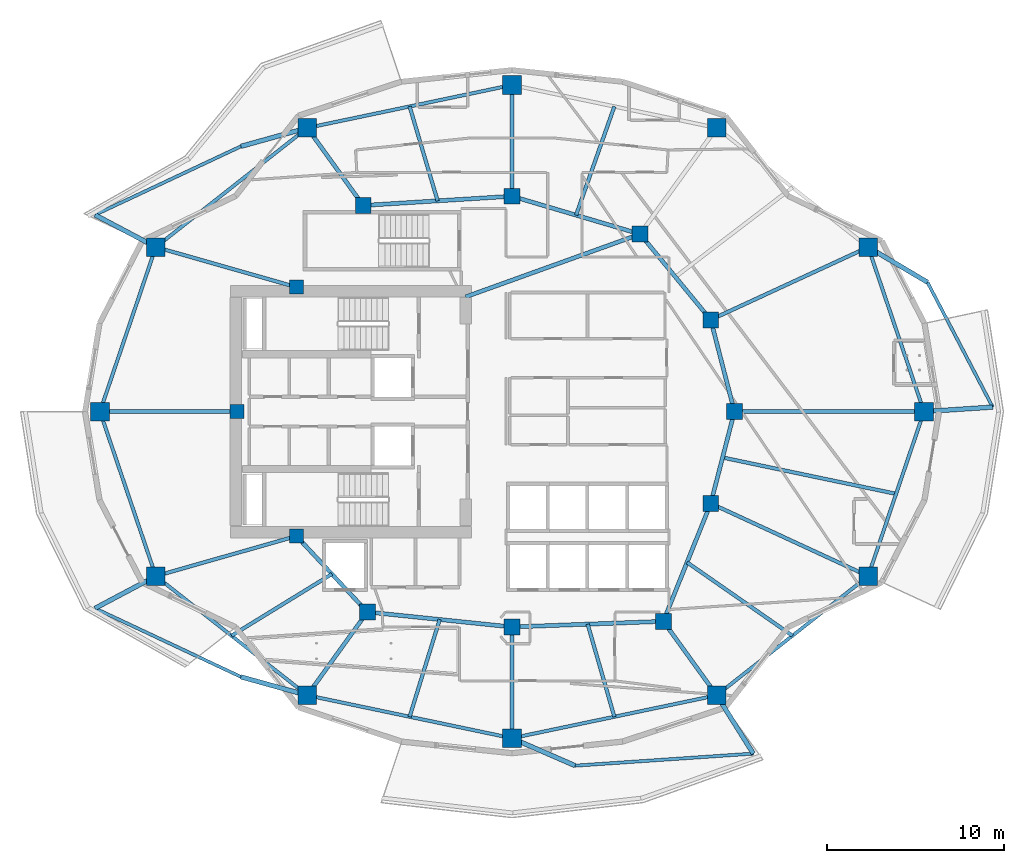
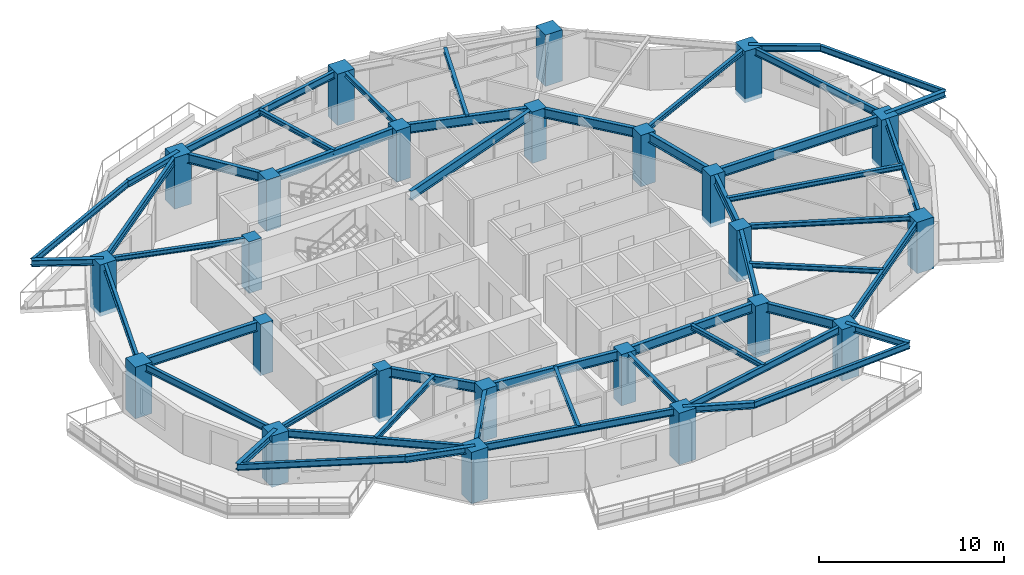
# One storey, part 1 of 17: 50 beams, 24 columns.
"""IFC4 building model written with IfcOpenShell, lengths in metres."""

from ifc_helpers import new_model, si_unit, direction, frame, origin, origin_2d, place, context, subcontext, project, spatial, rectangle, i_section, extrude, material, material_profile, profile_set, type_object, element, save


model = new_model("IFC4")

# Units and contexts
model_context = context("Model", 3, precision=1e-05, world=origin(), true_north=direction((0.0, 1.0)))
body_context = subcontext(model_context, "Body", "Model", "MODEL_VIEW")
ifc_project = project(units=[si_unit("LENGTHUNIT", "METRE"), si_unit("AREAUNIT", "SQUARE_METRE"), si_unit("VOLUMEUNIT", "CUBIC_METRE"), si_unit("PLANEANGLEUNIT", "RADIAN"), si_unit("MASSUNIT", "GRAM", prefix="KILO")], contexts=[model_context])

# Site, building, storey
site_placement = place(None, origin())
site = spatial("IfcSite", under=ifc_project, at=site_placement, CompositionType="ELEMENT")
building_placement = place(site_placement, origin())
building = spatial("IfcBuilding", under=site, at=building_placement, Name="Kolvaren Gate Tower and Convention Centre", CompositionType="ELEMENT")
storey_placement = place(building_placement, frame((0.0, 0.0, 125.699951171875)))
storey = spatial("IfcBuildingStorey", under=building, at=storey_placement, Name="L31", CompositionType="ELEMENT", Elevation=125.699951171875)

# Columns
ifc_material_1 = material(Name="Concrete C60/75", Category="concrete")
ifc_material_profile_1 = material_profile(ifc_material_1, rectangle(XDim=1.050048828125, YDim=1.050048828125, at=origin_2d()), Name="RC-COL-1050X1050")
ifc_profile_set_1 = profile_set([ifc_material_profile_1], Name="Concrete C60/75")
column_type_1 = type_object("IfcColumnType", Name="STR-COL-RC1050", PredefinedType="COLUMN", material=ifc_profile_set_1)
for number, where, z_axis, x_axis, name in (
    (1, (53.46240234375, 27.0, -0.27001953125), (0.0, 0.0, 1.0), (1.0, 0.0, 0.0), "Tower L31 Perimeter Supercolumn TP-01"),
    (2, (50.30029296875, 36.318603515625, -0.27001953125), (0.0, 0.0, 1.0), (1.0, 0.0, 0.0), "Tower L31 Perimeter Supercolumn TP-02"),
    (3, (41.721435546875, 43.068359375, -0.27001953125), (0.0, 0.0, 1.0), (1.0, 0.0, 0.0), "Tower L31 Perimeter Supercolumn TP-03"),
    (4, (30.125, 45.5, -0.27001953125), (0.0, 0.0, 1.0), (1.0, 0.0, 0.0), "Tower L31 Perimeter Supercolumn TP-04"),
    (5, (18.52880859375, 43.068359375, -0.27001953125), (0.0, 0.0, 1.0), (1.0, 0.0, 0.0), "Tower L31 Perimeter Supercolumn TP-05"),
    (6, (9.94970703125, 36.318603515625, -0.27001953125), (0.0, 0.0, 1.0), (1.0, 0.0, 0.0), "Tower L31 Perimeter Supercolumn TP-06"),
    (7, (6.78759765625, 27.0, -0.27001953125), (0.0, 0.0, 1.0), (1.0, 0.0, 0.0), "Tower L31 Perimeter Supercolumn TP-07"),
    (8, (9.94970703125, 17.681396484375, -0.27001953125), (0.0, 0.0, 1.0), (1.0, 0.0, 0.0), "Tower L31 Perimeter Supercolumn TP-08"),
    (9, (18.528564453125, 10.931640625, -0.27001953125), (0.0, 0.0, 1.0), (1.0, 0.0, 0.0), "Tower L31 Perimeter Supercolumn TP-09"),
    (10, (30.125, 8.5, -0.27001953125), (0.0, 0.0, 1.0), (1.0, 0.0, 0.0), "Tower L31 Perimeter Supercolumn TP-10"),
    (11, (41.721435546875, 10.931640625, -0.27001953125), (0.0, 0.0, 1.0), (1.0, 0.0, 0.0), "Tower L31 Perimeter Supercolumn TP-11"),
    (12, (50.30029296875, 17.681396484375, -0.27001953125), (0.0, 0.0, 1.0), (1.0, 0.0, 0.0), "Tower L31 Perimeter Supercolumn TP-12"),
):
    element("IfcColumn", number, at=place(storey_placement, frame(where, z_axis=z_axis, x_axis=x_axis)), inside=storey, type_object=column_type_1, Name=name, PredefinedType="COLUMN", context=body_context, shape_type="SweptSolid", body=[
        extrude(rectangle(XDim=1.050048828125, YDim=1.050048828125, at=origin_2d()), origin(), (0.0, 0.0, 1.0), 3.400146484375),
    ])
ifc_material_profile_2 = material_profile(ifc_material_1, rectangle(XDim=0.89990234375, YDim=0.89990234375, at=origin_2d()), Name="RC-COL-900X900")
ifc_profile_set_2 = profile_set([ifc_material_profile_2], Name="Concrete C60/75")
column_type_2 = type_object("IfcColumnType", Name="STR-COL-RC900", PredefinedType="COLUMN", material=ifc_profile_set_2)
for number, where, z_axis, x_axis, name in (
    (13, (42.72509765625, 27.0, -0.27001953125), (0.0, 0.0, 1.0), (1.0, 0.0, 0.0), "Tower L31 Interior Column TI-01"),
    (14, (41.382080078125, 32.199462890625, -0.27001953125), (0.0, 0.0, 1.0), (1.0, 0.0, 0.0), "Tower L31 Interior Column TI-02"),
    (15, (37.381591796875, 37.054931640625, -0.27001953125), (0.0, 0.0, 1.0), (1.0, 0.0, 0.0), "Tower L31 Interior Column TI-03"),
    (16, (30.125, 39.199951171875, -0.27001953125), (0.0, 0.0, 1.0), (1.0, 0.0, 0.0), "Tower L31 Interior Column TI-04"),
    (17, (21.697998046875, 38.6767578125, -0.27001953125), (0.0, 0.0, 1.0), (1.0, 0.0, 0.0), "Tower L31 Interior Column TI-05"),
    (18, (21.93212890625, 15.647705078125, -0.27001953125), (0.0, 0.0, 1.0), (1.0, 0.0, 0.0), "Tower L31 Interior Column TI-06"),
    (19, (30.125, 14.800048828125, -0.27001953125), (0.0, 0.0, 1.0), (1.0, 0.0, 0.0), "Tower L31 Interior Column TI-07"),
    (20, (38.6982421875, 15.12060546875, -0.27001953125), (0.0, 0.0, 1.0), (1.0, 0.0, 0.0), "Tower L31 Interior Column TI-08"),
    (21, (41.382080078125, 21.800537109375, -0.27001953125), (0.0, 0.0, 1.0), (1.0, 0.0, 0.0), "Tower L31 Interior Column TI-09"),
):
    element("IfcColumn", number, at=place(storey_placement, frame(where, z_axis=z_axis, x_axis=x_axis)), inside=storey, type_object=column_type_2, Name=name, PredefinedType="COLUMN", context=body_context, shape_type="SweptSolid", body=[
        extrude(rectangle(XDim=0.89990234375, YDim=0.89990234375, at=origin_2d()), origin(), (0.0, 0.0, 1.0), 3.400146484375),
    ])
ifc_material_profile_3 = material_profile(ifc_material_1, rectangle(XDim=0.800048828125, YDim=0.800048828125, at=origin_2d()), Name="RC-COL-800X800")
ifc_profile_set_3 = profile_set([ifc_material_profile_3], Name="Concrete C60/75")
column_type_3 = type_object("IfcColumnType", Name="STR-PIL-RC800", PredefinedType="PILASTER", material=ifc_profile_set_3)
for number, where, z_axis, x_axis, name in (
    (22, (17.9140625, 34.050048828125, -0.27001953125), (0.0, 0.0, 1.0), (1.0, 0.0, 0.0), "Tower L31 Core Boundary Pilaster TC-05"),
    (23, (14.550048828125, 27.0, -0.27001953125), (0.0, 0.0, 1.0), (1.0, 0.0, 0.0), "Tower L31 Core Boundary Pilaster TC-06"),
    (24, (17.9140625, 19.949951171875, -0.27001953125), (0.0, 0.0, 1.0), (1.0, 0.0, 0.0), "Tower L31 Core Boundary Pilaster TC-07"),
):
    element("IfcColumn", number, at=place(storey_placement, frame(where, z_axis=z_axis, x_axis=x_axis)), inside=storey, type_object=column_type_3, Name=name, PredefinedType="PILASTER", context=body_context, shape_type="SweptSolid", body=[
        extrude(rectangle(XDim=0.800048828125, YDim=0.800048828125, at=origin_2d()), origin(), (0.0, 0.0, 1.0), 3.400146484375),
    ])

# Beams
ifc_material_2 = material(Name="Structural steel ASTM A992 Grade 345 MPa", Category="steel")
ifc_material_profile_4 = material_profile(ifc_material_2, i_section(OverallWidth=0.260009765625, OverallDepth=0.419921875, WebThickness=0.013427734375, FlangeThickness=0.0224609375, at=origin_2d()), Name="W410X132")
ifc_profile_set_4 = profile_set([ifc_material_profile_4], Name="Structural steel ASTM A992 Grade 345 MPa")
beam_type_1 = type_object("IfcBeamType", Name="STR-BM-W410X132", PredefinedType="BEAM", material=ifc_profile_set_4)
beam_1_placement = place(storey_placement, frame((18.52880859375, 43.068359375, 2.920654296875), z_axis=(-0.963563633004, -0.267479205082, 0.0), x_axis=(0.267479205082, -0.963563633004, 0.0)))
element("IfcBeam", 25, at=beam_1_placement, inside=storey, type_object=beam_type_1, Name="Tower L32 Planted Balcony Outrigger Cantilever BC-1A", PredefinedType="BEAM", context=body_context, shape_type="SweptSolid", body=[
    extrude(i_section(OverallWidth=0.260009765625, OverallDepth=0.419921875, WebThickness=0.013427734375, FlangeThickness=0.0224609375, at=origin_2d()), origin(), (0.0, 0.0, 1.0), 3.900146484375),
])
for number, where, z_axis, x_axis, name in (
    (26, (9.94970703125, 36.318603515625, 2.920654296875), (-0.883728523532, 0.467999889632, 0.0), (-0.467999889632, -0.883728523532, 0.0), "Tower L32 Planted Balcony Outrigger Cantilever BC-1B"),
    (27, (9.94970703125, 17.681396484375, 2.920654296875), (-0.883728523532, -0.467999889632, 0.0), (0.467999889632, -0.883728523532, 0.0), "Tower L32 Planted Balcony Outrigger Cantilever BC-2A"),
    (28, (18.528564453125, 10.931640625, 2.920654296875), (-0.963559154052, 0.267495339479, 0.0), (-0.267495339479, -0.963559154052, 0.0), "Tower L32 Planted Balcony Outrigger Cantilever BC-2B"),
    (29, (30.125, 8.5, 2.920654296875), (0.917050150006, -0.398771892657, 0.0), (0.398771892657, 0.917050150006, 0.0), "Tower L32 Planted Balcony Outrigger Cantilever BC-3A"),
    (30, (41.721435546875, 10.931640625, 2.920654296875), (0.531489309578, -0.847064999752, 0.0), (0.847064999752, 0.531489309578, 0.0), "Tower L32 Planted Balcony Outrigger Cantilever BC-3B"),
    (31, (53.46240234375, 27.0, 2.920654296875), (0.997849773417, 0.06554257922, 0.0), (-0.06554257922, 0.997849773417, 0.0), "Tower L32 Planted Balcony Outrigger Cantilever BC-4A"),
    (32, (50.30029296875, 36.318603515625, 2.920654296875), (0.860390154059, -0.509635931621, 0.0), (0.509635931621, 0.860390154059, 0.0), "Tower L32 Planted Balcony Outrigger Cantilever BC-4B"),
):
    element("IfcBeam", number, at=place(storey_placement, frame(where, z_axis=z_axis, x_axis=x_axis)), inside=storey, type_object=beam_type_1, Name=name, PredefinedType="BEAM", context=body_context, shape_type="SweptSolid", body=[
        extrude(i_section(OverallWidth=0.260009765625, OverallDepth=0.419921875, WebThickness=0.013427734375, FlangeThickness=0.0224609375, at=origin_2d()), origin(), (0.0, 0.0, 1.0), 3.89990234375),
    ])
ifc_material_profile_5 = material_profile(ifc_material_2, i_section(OverallWidth=0.22998046875, OverallDepth=0.616943359375, WebThickness=0.01318359375, FlangeThickness=0.022216796875, at=origin_2d()), Name="W610X140")
ifc_profile_set_5 = profile_set([ifc_material_profile_5], Name="Structural steel ASTM A992 Grade 345 MPa")
beam_type_2 = type_object("IfcBeamType", Name="STR-BM-W610X140", PredefinedType="BEAM", material=ifc_profile_set_5)
beam_2_placement = place(storey_placement, frame((42.72509765625, 27.0, 2.821533203125), z_axis=(-0.250091133936, -0.968222301296, 0.0), x_axis=(0.968222301296, -0.250091133936, 0.0)))
element("IfcBeam", 33, at=beam_2_placement, inside=storey, type_object=beam_type_2, Name="Tower L31 Primary Ring Girder G-01", PredefinedType="BEAM", context=body_context, shape_type="SweptSolid", body=[
    extrude(i_section(OverallWidth=0.22998046875, OverallDepth=0.616943359375, WebThickness=0.01318359375, FlangeThickness=0.022216796875, at=origin_2d()), origin(), (0.0, 0.0, 1.0), 5.3701171875),
])
beam_3_placement = place(storey_placement, frame((41.382080078125, 32.199462890625, 2.821533203125), z_axis=(-0.635884066011, 0.771784590798, 0.0), x_axis=(-0.771784590798, -0.635884066011, 0.0)))
element("IfcBeam", 34, at=beam_3_placement, inside=storey, type_object=beam_type_2, Name="Tower L31 Primary Ring Girder G-02", PredefinedType="BEAM", context=body_context, shape_type="SweptSolid", body=[
    extrude(i_section(OverallWidth=0.22998046875, OverallDepth=0.616943359375, WebThickness=0.01318359375, FlangeThickness=0.022216796875, at=origin_2d()), origin(), (0.0, 0.0, 1.0), 6.291259765625),
])
beam_4_placement = place(storey_placement, frame((37.381591796875, 37.054931640625, 2.821533203125), z_axis=(-0.958980837827, 0.283470902706, 0.0), x_axis=(-0.283470902706, -0.958980837827, 0.0)))
element("IfcBeam", 35, at=beam_4_placement, inside=storey, type_object=beam_type_2, Name="Tower L31 Primary Ring Girder G-03", PredefinedType="BEAM", context=body_context, shape_type="SweptSolid", body=[
    extrude(i_section(OverallWidth=0.22998046875, OverallDepth=0.616943359375, WebThickness=0.01318359375, FlangeThickness=0.022216796875, at=origin_2d()), origin(), (0.0, 0.0, 1.0), 7.56689453125),
])
beam_5_placement = place(storey_placement, frame((30.125, 39.199951171875, 2.821533203125), z_axis=(-0.998078258568, -0.06196603726, 0.0), x_axis=(0.06196603726, -0.998078258568, 0.0)))
element("IfcBeam", 36, at=beam_5_placement, inside=storey, type_object=beam_type_2, Name="Tower L31 Primary Ring Girder G-04", PredefinedType="BEAM", context=body_context, shape_type="SweptSolid", body=[
    extrude(i_section(OverallWidth=0.22998046875, OverallDepth=0.616943359375, WebThickness=0.01318359375, FlangeThickness=0.022216796875, at=origin_2d()), origin(), (0.0, 0.0, 1.0), 8.443115234375),
])
beam_6_placement = place(storey_placement, frame((17.9140625, 19.949951171875, 2.821533203125), z_axis=(0.682557592987, -0.730831808459, 0.0), x_axis=(0.730831808459, 0.682557592987, 0.0)))
element("IfcBeam", 37, at=beam_6_placement, inside=storey, type_object=beam_type_2, Name="Tower L31 Primary Ring Girder G-06", PredefinedType="BEAM", context=body_context, shape_type="SweptSolid", body=[
    extrude(i_section(OverallWidth=0.22998046875, OverallDepth=0.616943359375, WebThickness=0.01318359375, FlangeThickness=0.022216796875, at=origin_2d()), origin(), (0.0, 0.0, 1.0), 5.88671875),
])
beam_7_placement = place(storey_placement, frame((21.93212890625, 15.647705078125, 2.821533203125), z_axis=(0.994690329115, -0.102913308978, 0.0), x_axis=(0.102913308978, 0.994690329115, 0.0)))
element("IfcBeam", 38, at=beam_7_placement, inside=storey, type_object=beam_type_2, Name="Tower L31 Primary Ring Girder G-07", PredefinedType="BEAM", context=body_context, shape_type="SweptSolid", body=[
    extrude(i_section(OverallWidth=0.22998046875, OverallDepth=0.616943359375, WebThickness=0.01318359375, FlangeThickness=0.022216796875, at=origin_2d()), origin(), (0.0, 0.0, 1.0), 8.236572265625),
])
beam_8_placement = place(storey_placement, frame((30.125, 14.800048828125, 2.821533203125), z_axis=(0.999301712453, 0.037364254142, 0.0), x_axis=(-0.037364254142, 0.999301712453, 0.0)))
element("IfcBeam", 39, at=beam_8_placement, inside=storey, type_object=beam_type_2, Name="Tower L31 Primary Ring Girder G-08", PredefinedType="BEAM", context=body_context, shape_type="SweptSolid", body=[
    extrude(i_section(OverallWidth=0.22998046875, OverallDepth=0.616943359375, WebThickness=0.01318359375, FlangeThickness=0.022216796875, at=origin_2d()), origin(), (0.0, 0.0, 1.0), 8.579345703125),
])
beam_9_placement = place(storey_placement, frame((38.6982421875, 15.12060546875, 2.821533203125), z_axis=(0.372811100169, 0.927907260232, 0.0), x_axis=(-0.927907260232, 0.372811100169, 0.0)))
element("IfcBeam", 40, at=beam_9_placement, inside=storey, type_object=beam_type_2, Name="Tower L31 Primary Ring Girder G-09", PredefinedType="BEAM", context=body_context, shape_type="SweptSolid", body=[
    extrude(i_section(OverallWidth=0.22998046875, OverallDepth=0.616943359375, WebThickness=0.01318359375, FlangeThickness=0.022216796875, at=origin_2d()), origin(), (0.0, 0.0, 1.0), 7.198974609375),
])
beam_10_placement = place(storey_placement, frame((27.5, 33.5, 2.821533203125), z_axis=(0.940961479908, 0.338513653093, 0.0), x_axis=(-0.338513653093, 0.940961479908, 0.0)))
element("IfcBeam", 41, at=beam_10_placement, inside=storey, type_object=beam_type_2, Name="Tower L31 Primary Ring Girder G-10", PredefinedType="BEAM", context=body_context, shape_type="SweptSolid", body=[
    extrude(i_section(OverallWidth=0.22998046875, OverallDepth=0.616943359375, WebThickness=0.01318359375, FlangeThickness=0.022216796875, at=origin_2d()), origin(), (0.0, 0.0, 1.0), 10.501708984375),
])
beam_11_placement = place(storey_placement, frame((42.72509765625, 27.0, 2.821533203125), z_axis=(-0.250091133936, 0.968222301296, 0.0), x_axis=(-0.968222301296, -0.250091133936, 0.0)))
element("IfcBeam", 42, at=beam_11_placement, inside=storey, type_object=beam_type_2, Name="Tower L31 Primary Ring Girder G-12", PredefinedType="BEAM", context=body_context, shape_type="SweptSolid", body=[
    extrude(i_section(OverallWidth=0.22998046875, OverallDepth=0.616943359375, WebThickness=0.01318359375, FlangeThickness=0.022216796875, at=origin_2d()), origin(), (0.0, 0.0, 1.0), 5.3701171875),
])
beam_12_placement = place(storey_placement, frame((42.72509765625, 27.0, 2.821533203125), z_axis=(1.0, 0.0, 0.0), x_axis=(0.0, 1.0, 0.0)))
element("IfcBeam", 43, at=beam_12_placement, inside=storey, type_object=beam_type_2, Name="Tower L31 Radial Floor Girder RB-01", PredefinedType="BEAM", context=body_context, shape_type="SweptSolid", body=[
    extrude(i_section(OverallWidth=0.22998046875, OverallDepth=0.616943359375, WebThickness=0.01318359375, FlangeThickness=0.022216796875, at=origin_2d()), origin(), (0.0, 0.0, 1.0), 10.7373046875),
])
beam_13_placement = place(storey_placement, frame((21.697998046875, 38.6767578125, 2.821533203125), z_axis=(-0.585184369967, 0.810900273243, 0.0), x_axis=(-0.810900273243, -0.585184369967, 0.0)))
element("IfcBeam", 44, at=beam_13_placement, inside=storey, type_object=beam_type_2, Name="Tower L31 Radial Floor Girder RB-05", PredefinedType="BEAM", context=body_context, shape_type="SweptSolid", body=[
    extrude(i_section(OverallWidth=0.22998046875, OverallDepth=0.616943359375, WebThickness=0.01318359375, FlangeThickness=0.022216796875, at=origin_2d()), origin(), (0.0, 0.0, 1.0), 5.415771484375),
])
beam_14_placement = place(storey_placement, frame((14.550048828125, 27.0, 2.821533203125), z_axis=(-1.0, 0.0, 0.0), x_axis=(0.0, -1.0, 0.0)))
element("IfcBeam", 45, at=beam_14_placement, inside=storey, type_object=beam_type_2, Name="Tower L31 Radial Floor Girder RB-07", PredefinedType="BEAM", context=body_context, shape_type="SweptSolid", body=[
    extrude(i_section(OverallWidth=0.22998046875, OverallDepth=0.616943359375, WebThickness=0.01318359375, FlangeThickness=0.022216796875, at=origin_2d()), origin(), (0.0, 0.0, 1.0), 7.762451171875),
])
beam_15_placement = place(storey_placement, frame((21.93212890625, 15.647705078125, 2.821533203125), z_axis=(-0.585210043569, -0.810881745328, 0.0), x_axis=(0.810881745328, -0.585210043569, 0.0)))
element("IfcBeam", 46, at=beam_15_placement, inside=storey, type_object=beam_type_2, Name="Tower L31 Radial Floor Girder RB-09", PredefinedType="BEAM", context=body_context, shape_type="SweptSolid", body=[
    extrude(i_section(OverallWidth=0.22998046875, OverallDepth=0.616943359375, WebThickness=0.01318359375, FlangeThickness=0.022216796875, at=origin_2d()), origin(), (0.0, 0.0, 1.0), 5.81591796875),
])
beam_16_placement = place(storey_placement, frame((38.6982421875, 15.12060546875, 2.821533203125), z_axis=(0.585214440031, -0.810878572401, 0.0), x_axis=(0.810878572401, 0.585214440031, 0.0)))
element("IfcBeam", 47, at=beam_16_placement, inside=storey, type_object=beam_type_2, Name="Tower L31 Radial Floor Girder RB-11", PredefinedType="BEAM", context=body_context, shape_type="SweptSolid", body=[
    extrude(i_section(OverallWidth=0.22998046875, OverallDepth=0.616943359375, WebThickness=0.01318359375, FlangeThickness=0.022216796875, at=origin_2d()), origin(), (0.0, 0.0, 1.0), 5.166015625),
])
ifc_material_profile_6 = material_profile(ifc_material_2, i_section(OverallWidth=0.205078125, OverallDepth=0.31005859375, WebThickness=0.009521484375, FlangeThickness=0.016357421875, at=origin_2d()), Name="W310X74")
ifc_profile_set_6 = profile_set([ifc_material_profile_6], Name="Structural steel ASTM A992 Grade 345 MPa")
beam_type_3 = type_object("IfcBeamType", Name="STR-JS-W310X74", PredefinedType="JOIST", material=ifc_profile_set_6)
beam_17_placement = place(storey_placement, frame((41.382080078125, 32.199462890625, 2.97509765625), z_axis=(0.907841510795, 0.419313476146, 0.0), x_axis=(-0.419313476146, 0.907841510795, 0.0)))
element("IfcBeam", 48, at=beam_17_placement, inside=storey, type_object=beam_type_3, Name="Tower L31 Radial Floor Girder RB-02", PredefinedType="JOIST", context=body_context, shape_type="SweptSolid", body=[
    extrude(i_section(OverallWidth=0.205078125, OverallDepth=0.31005859375, WebThickness=0.009521484375, FlangeThickness=0.016357421875, at=origin_2d()), origin(), (0.0, 0.0, 1.0), 9.823486328125),
])
beam_18_placement = place(storey_placement, frame((30.125, 39.199951171875, 2.97509765625), z_axis=(0.0, 1.0, 0.0), x_axis=(-1.0, 0.0, 0.0)))
element("IfcBeam", 49, at=beam_18_placement, inside=storey, type_object=beam_type_3, Name="Tower L31 Radial Floor Girder RB-04", PredefinedType="JOIST", context=body_context, shape_type="SweptSolid", body=[
    extrude(i_section(OverallWidth=0.205078125, OverallDepth=0.31005859375, WebThickness=0.009521484375, FlangeThickness=0.016357421875, at=origin_2d()), origin(), (0.0, 0.0, 1.0), 6.300048828125),
])
for number, where, z_axis, x_axis, name in (
    (50, (17.9140625, 34.050048828125, 2.97509765625), (-0.961746134311, 0.27394228067, 0.0), (-0.27394228067, -0.961746134311, 0.0), "Tower L31 Radial Floor Girder RB-06"),
    (51, (17.9140625, 19.949951171875, 2.97509765625), (-0.961746134311, -0.27394228067, 0.0), (0.27394228067, -0.961746134311, 0.0), "Tower L31 Radial Floor Girder RB-08"),
):
    element("IfcBeam", number, at=place(storey_placement, frame(where, z_axis=z_axis, x_axis=x_axis)), inside=storey, type_object=beam_type_3, Name=name, PredefinedType="JOIST", context=body_context, shape_type="SweptSolid", body=[
        extrude(i_section(OverallWidth=0.205078125, OverallDepth=0.31005859375, WebThickness=0.009521484375, FlangeThickness=0.016357421875, at=origin_2d()), origin(), (0.0, 0.0, 1.0), 8.28125),
    ])
beam_19_placement = place(storey_placement, frame((30.125, 14.800048828125, 2.97509765625), z_axis=(0.0, -1.0, 0.0), x_axis=(1.0, 0.0, 0.0)))
element("IfcBeam", 52, at=beam_19_placement, inside=storey, type_object=beam_type_3, Name="Tower L31 Radial Floor Girder RB-10", PredefinedType="JOIST", context=body_context, shape_type="SweptSolid", body=[
    extrude(i_section(OverallWidth=0.205078125, OverallDepth=0.31005859375, WebThickness=0.009521484375, FlangeThickness=0.016357421875, at=origin_2d()), origin(), (0.0, 0.0, 1.0), 6.300048828125),
])
beam_20_placement = place(storey_placement, frame((41.382080078125, 21.800537109375, 2.97509765625), z_axis=(0.907841510795, -0.419313476146, 0.0), x_axis=(0.419313476146, 0.907841510795, 0.0)))
element("IfcBeam", 53, at=beam_20_placement, inside=storey, type_object=beam_type_3, Name="Tower L31 Radial Floor Girder RB-12", PredefinedType="JOIST", context=body_context, shape_type="SweptSolid", body=[
    extrude(i_section(OverallWidth=0.205078125, OverallDepth=0.31005859375, WebThickness=0.009521484375, FlangeThickness=0.016357421875, at=origin_2d()), origin(), (0.0, 0.0, 1.0), 9.823486328125),
])
beam_21_placement = place(storey_placement, frame((33.75341796875, 38.12744140625, 2.97509765625), z_axis=(0.332372088023, 0.943148342046, 0.0), x_axis=(-0.943148342046, 0.332372088023, 0.0)))
element("IfcBeam", 54, at=beam_21_placement, inside=storey, type_object=beam_type_3, Name="Tower L31 Secondary Composite Floor Joist J-03.1", PredefinedType="JOIST", context=body_context, shape_type="SweptSolid", body=[
    extrude(i_section(OverallWidth=0.205078125, OverallDepth=0.31005859375, WebThickness=0.009521484375, FlangeThickness=0.016357421875, at=origin_2d()), origin(), (0.0, 0.0, 1.0), 6.52783203125),
])
beam_22_placement = place(storey_placement, frame((25.91162109375, 38.938232421875, 2.97509765625), z_axis=(-0.284209081553, 0.958762326107, 0.0), x_axis=(-0.958762326107, -0.284209081553, 0.0)))
element("IfcBeam", 55, at=beam_22_placement, inside=storey, type_object=beam_type_3, Name="Tower L31 Secondary Composite Floor Joist J-04.1", PredefinedType="JOIST", context=body_context, shape_type="SweptSolid", body=[
    extrude(i_section(OverallWidth=0.205078125, OverallDepth=0.31005859375, WebThickness=0.009521484375, FlangeThickness=0.016357421875, at=origin_2d()), origin(), (0.0, 0.0, 1.0), 5.575927734375),
])
beam_23_placement = place(storey_placement, frame((19.923095703125, 17.798828125, 2.97509765625), z_axis=(-0.852013723702, -0.523519450091, 0.0), x_axis=(0.523519450091, -0.852013723702, 0.0)))
element("IfcBeam", 56, at=beam_23_placement, inside=storey, type_object=beam_type_3, Name="Tower L31 Secondary Composite Floor Joist J-08.1", PredefinedType="JOIST", context=body_context, shape_type="SweptSolid", body=[
    extrude(i_section(OverallWidth=0.205078125, OverallDepth=0.31005859375, WebThickness=0.009521484375, FlangeThickness=0.016357421875, at=origin_2d()), origin(), (0.0, 0.0, 1.0), 6.671142578125),
])
beam_24_placement = place(storey_placement, frame((26.028564453125, 15.223876953125, 2.97509765625), z_axis=(-0.295174836894, -0.95544325612, 0.0), x_axis=(0.95544325612, -0.295174836894, 0.0)))
element("IfcBeam", 57, at=beam_24_placement, inside=storey, type_object=beam_type_3, Name="Tower L31 Secondary Composite Floor Joist J-09.1", PredefinedType="JOIST", context=body_context, shape_type="SweptSolid", body=[
    extrude(i_section(OverallWidth=0.205078125, OverallDepth=0.31005859375, WebThickness=0.009521484375, FlangeThickness=0.016357421875, at=origin_2d()), origin(), (0.0, 0.0, 1.0), 5.764892578125),
])
beam_25_placement = place(storey_placement, frame((34.41162109375, 14.960205078125, 2.97509765625), z_axis=(0.27693589933, -0.960888395009, 0.0), x_axis=(0.960888395009, 0.27693589933, 0.0)))
element("IfcBeam", 58, at=beam_25_placement, inside=storey, type_object=beam_type_3, Name="Tower L31 Secondary Composite Floor Joist J-10.1", PredefinedType="JOIST", context=body_context, shape_type="SweptSolid", body=[
    extrude(i_section(OverallWidth=0.205078125, OverallDepth=0.31005859375, WebThickness=0.009521484375, FlangeThickness=0.016357421875, at=origin_2d()), origin(), (0.0, 0.0, 1.0), 5.457763671875),
])
beam_26_placement = place(storey_placement, frame((40.040283203125, 18.46044921875, 2.97509765625), z_axis=(0.820871677882, -0.571112675792, 0.0), x_axis=(0.571112675792, 0.820871677882, 0.0)))
element("IfcBeam", 59, at=beam_26_placement, inside=storey, type_object=beam_type_3, Name="Tower L31 Secondary Composite Floor Joist J-11.1", PredefinedType="JOIST", context=body_context, shape_type="SweptSolid", body=[
    extrude(i_section(OverallWidth=0.205078125, OverallDepth=0.31005859375, WebThickness=0.009521484375, FlangeThickness=0.016357421875, at=origin_2d()), origin(), (0.0, 0.0, 1.0), 7.273681640625),
])
beam_27_placement = place(storey_placement, frame((42.0537109375, 24.400146484375, 2.97509765625), z_axis=(0.978743091795, -0.205090127175, 0.0), x_axis=(0.205090127175, 0.978743091795, 0.0)))
element("IfcBeam", 60, at=beam_27_placement, inside=storey, type_object=beam_type_3, Name="Tower L31 Secondary Composite Floor Joist J-12.1", PredefinedType="JOIST", context=body_context, shape_type="SweptSolid", body=[
    extrude(i_section(OverallWidth=0.205078125, OverallDepth=0.31005859375, WebThickness=0.009521484375, FlangeThickness=0.016357421875, at=origin_2d()), origin(), (0.0, 0.0, 1.0), 10.041015625),
])
ifc_material_profile_7 = material_profile(ifc_material_2, i_section(OverallWidth=0.180908203125, OverallDepth=0.4169921875, WebThickness=0.010986328125, FlangeThickness=0.018310546875, at=origin_2d()), Name="W410X85")
ifc_profile_set_7 = profile_set([ifc_material_profile_7], Name="Structural steel ASTM A992 Grade 345 MPa")
beam_type_4 = type_object("IfcBeamType", Name="STR-SP-W410X85", PredefinedType="SPANDREL", material=ifc_profile_set_7)
for number, where, z_axis, x_axis, name in (
    (61, (14.770751953125, 42.025146484375, 2.922119140625), (-0.905209664084, -0.424965250402, 0.0), (0.424965250402, -0.905209664084, 0.0), "Tower L32 Planted Balcony Header Tie Beam BT-1"),
    (62, (6.503173828125, 15.856201171875, 2.922119140625), (0.905209664084, -0.424965250402, 0.0), (0.424965250402, 0.905209664084, 0.0), "Tower L32 Planted Balcony Header Tie Beam BT-2"),
):
    element("IfcBeam", number, at=place(storey_placement, frame(where, z_axis=z_axis, x_axis=x_axis)), inside=storey, type_object=beam_type_4, Name=name, PredefinedType="SPANDREL", context=body_context, shape_type="SweptSolid", body=[
        extrude(i_section(OverallWidth=0.180908203125, OverallDepth=0.4169921875, WebThickness=0.010986328125, FlangeThickness=0.018310546875, at=origin_2d()), origin(), (0.0, 0.0, 1.0), 9.13330078125),
    ])
beam_28_placement = place(storey_placement, frame((33.701416015625, 6.94482421875, 2.922119140625), z_axis=(0.997715743808, 0.067552161754, 0.0), x_axis=(-0.067552161754, 0.997715743808, 0.0)))
element("IfcBeam", 63, at=beam_28_placement, inside=storey, type_object=beam_type_4, Name="Tower L32 Planted Balcony Header Tie Beam BT-3", PredefinedType="SPANDREL", context=body_context, shape_type="SweptSolid", body=[
    extrude(i_section(OverallWidth=0.180908203125, OverallDepth=0.4169921875, WebThickness=0.010986328125, FlangeThickness=0.018310546875, at=origin_2d()), origin(), (0.0, 0.0, 1.0), 10.115966796875),
])
beam_29_placement = place(storey_placement, frame((57.35400390625, 27.255615234375, 2.922119140625), z_axis=(-0.463226370738, 0.886239995403, 0.0), x_axis=(-0.886239995403, -0.463226370738, 0.0)))
element("IfcBeam", 64, at=beam_29_placement, inside=storey, type_object=beam_type_4, Name="Tower L32 Planted Balcony Header Tie Beam BT-4", PredefinedType="SPANDREL", context=body_context, shape_type="SweptSolid", body=[
    extrude(i_section(OverallWidth=0.180908203125, OverallDepth=0.4169921875, WebThickness=0.010986328125, FlangeThickness=0.018310546875, at=origin_2d()), origin(), (0.0, 0.0, 1.0), 7.983642578125),
])
ifc_material_profile_8 = material_profile(ifc_material_2, i_section(OverallWidth=0.194091796875, OverallDepth=0.468994140625, WebThickness=0.0126953125, FlangeThickness=0.0205078125, at=origin_2d()), Name="W460X106")
ifc_profile_set_8 = profile_set([ifc_material_profile_8], Name="Structural steel ASTM A992 Grade 345 MPa")
beam_type_5 = type_object("IfcBeamType", Name="STR-SP-W460X106", PredefinedType="SPANDREL", material=ifc_profile_set_8)
beam_30_placement = place(storey_placement, frame((53.46240234375, 27.0, 2.8955078125), z_axis=(-0.321336471485, 0.946965084939, 0.0), x_axis=(-0.946965084939, -0.321336471485, 0.0)))
element("IfcBeam", 65, at=beam_30_placement, inside=storey, type_object=beam_type_5, Name="Tower L31 Perimeter Spandrel Beam SP-01", PredefinedType="SPANDREL", context=body_context, shape_type="SweptSolid", body=[
    extrude(i_section(OverallWidth=0.194091796875, OverallDepth=0.468994140625, WebThickness=0.0126953125, FlangeThickness=0.0205078125, at=origin_2d()), origin(), (0.0, 0.0, 1.0), 9.840576171875),
])
beam_31_placement = place(storey_placement, frame((30.125, 45.5, 2.8955078125), z_axis=(-0.978713879092, -0.20522948831, 0.0), x_axis=(0.20522948831, -0.978713879092, 0.0)))
element("IfcBeam", 66, at=beam_31_placement, inside=storey, type_object=beam_type_5, Name="Tower L31 Perimeter Spandrel Beam SP-04", PredefinedType="SPANDREL", context=body_context, shape_type="SweptSolid", body=[
    extrude(i_section(OverallWidth=0.194091796875, OverallDepth=0.468994140625, WebThickness=0.0126953125, FlangeThickness=0.0205078125, at=origin_2d()), origin(), (0.0, 0.0, 1.0), 11.848388671875),
])
beam_32_placement = place(storey_placement, frame((18.52880859375, 43.068359375, 2.8955078125), z_axis=(-0.785916161629, -0.61833307116, 0.0), x_axis=(0.61833307116, -0.785916161629, 0.0)))
element("IfcBeam", 67, at=beam_32_placement, inside=storey, type_object=beam_type_5, Name="Tower L31 Perimeter Spandrel Beam SP-05", PredefinedType="SPANDREL", context=body_context, shape_type="SweptSolid", body=[
    extrude(i_section(OverallWidth=0.194091796875, OverallDepth=0.468994140625, WebThickness=0.0126953125, FlangeThickness=0.0205078125, at=origin_2d()), origin(), (0.0, 0.0, 1.0), 10.916015625),
])
for number, where, z_axis, x_axis, name in (
    (68, (9.94970703125, 36.318603515625, 2.8955078125), (-0.321336471485, -0.946965084939, 0.0), (0.946965084939, -0.321336471485, 0.0), "Tower L31 Perimeter Spandrel Beam SP-06"),
    (69, (6.78759765625, 27.0, 2.8955078125), (0.321336471485, -0.946965084939, 0.0), (0.946965084939, 0.321336471485, 0.0), "Tower L31 Perimeter Spandrel Beam SP-07"),
):
    element("IfcBeam", number, at=place(storey_placement, frame(where, z_axis=z_axis, x_axis=x_axis)), inside=storey, type_object=beam_type_5, Name=name, PredefinedType="SPANDREL", context=body_context, shape_type="SweptSolid", body=[
        extrude(i_section(OverallWidth=0.194091796875, OverallDepth=0.468994140625, WebThickness=0.0126953125, FlangeThickness=0.0205078125, at=origin_2d()), origin(), (0.0, 0.0, 1.0), 9.840576171875),
    ])
beam_33_placement = place(storey_placement, frame((9.94970703125, 17.681396484375, 2.8955078125), z_axis=(0.785907610354, -0.618343939881, 0.0), x_axis=(0.618343939881, 0.785907610354, 0.0)))
element("IfcBeam", 70, at=beam_33_placement, inside=storey, type_object=beam_type_5, Name="Tower L31 Perimeter Spandrel Beam SP-08", PredefinedType="SPANDREL", context=body_context, shape_type="SweptSolid", body=[
    extrude(i_section(OverallWidth=0.194091796875, OverallDepth=0.468994140625, WebThickness=0.0126953125, FlangeThickness=0.0205078125, at=origin_2d()), origin(), (0.0, 0.0, 1.0), 10.915771484375),
])
for number, where, z_axis, x_axis, name in (
    (71, (18.528564453125, 10.931640625, 2.8955078125), (0.978714746947, -0.205225349578, 0.0), (0.205225349578, 0.978714746947, 0.0), "Tower L31 Perimeter Spandrel Beam SP-09"),
    (72, (30.125, 8.5, 2.8955078125), (0.978714746947, 0.205225349578, 0.0), (-0.205225349578, 0.978714746947, 0.0), "Tower L31 Perimeter Spandrel Beam SP-10"),
):
    element("IfcBeam", number, at=place(storey_placement, frame(where, z_axis=z_axis, x_axis=x_axis)), inside=storey, type_object=beam_type_5, Name=name, PredefinedType="SPANDREL", context=body_context, shape_type="SweptSolid", body=[
        extrude(i_section(OverallWidth=0.194091796875, OverallDepth=0.468994140625, WebThickness=0.0126953125, FlangeThickness=0.0205078125, at=origin_2d()), origin(), (0.0, 0.0, 1.0), 11.8486328125),
    ])
beam_34_placement = place(storey_placement, frame((41.721435546875, 10.931640625, 2.8955078125), z_axis=(0.785907610354, 0.618343939881, 0.0), x_axis=(-0.618343939881, 0.785907610354, 0.0)))
element("IfcBeam", 73, at=beam_34_placement, inside=storey, type_object=beam_type_5, Name="Tower L31 Perimeter Spandrel Beam SP-11", PredefinedType="SPANDREL", context=body_context, shape_type="SweptSolid", body=[
    extrude(i_section(OverallWidth=0.194091796875, OverallDepth=0.468994140625, WebThickness=0.0126953125, FlangeThickness=0.0205078125, at=origin_2d()), origin(), (0.0, 0.0, 1.0), 10.915771484375),
])
beam_35_placement = place(storey_placement, frame((50.30029296875, 17.681396484375, 2.8955078125), z_axis=(0.321336471485, 0.946965084939, 0.0), x_axis=(-0.946965084939, 0.321336471485, 0.0)))
element("IfcBeam", 74, at=beam_35_placement, inside=storey, type_object=beam_type_5, Name="Tower L31 Perimeter Spandrel Beam SP-12", PredefinedType="SPANDREL", context=body_context, shape_type="SweptSolid", body=[
    extrude(i_section(OverallWidth=0.194091796875, OverallDepth=0.468994140625, WebThickness=0.0126953125, FlangeThickness=0.0205078125, at=origin_2d()), origin(), (0.0, 0.0, 1.0), 9.840576171875),
])

save(model, "model.ifc")
